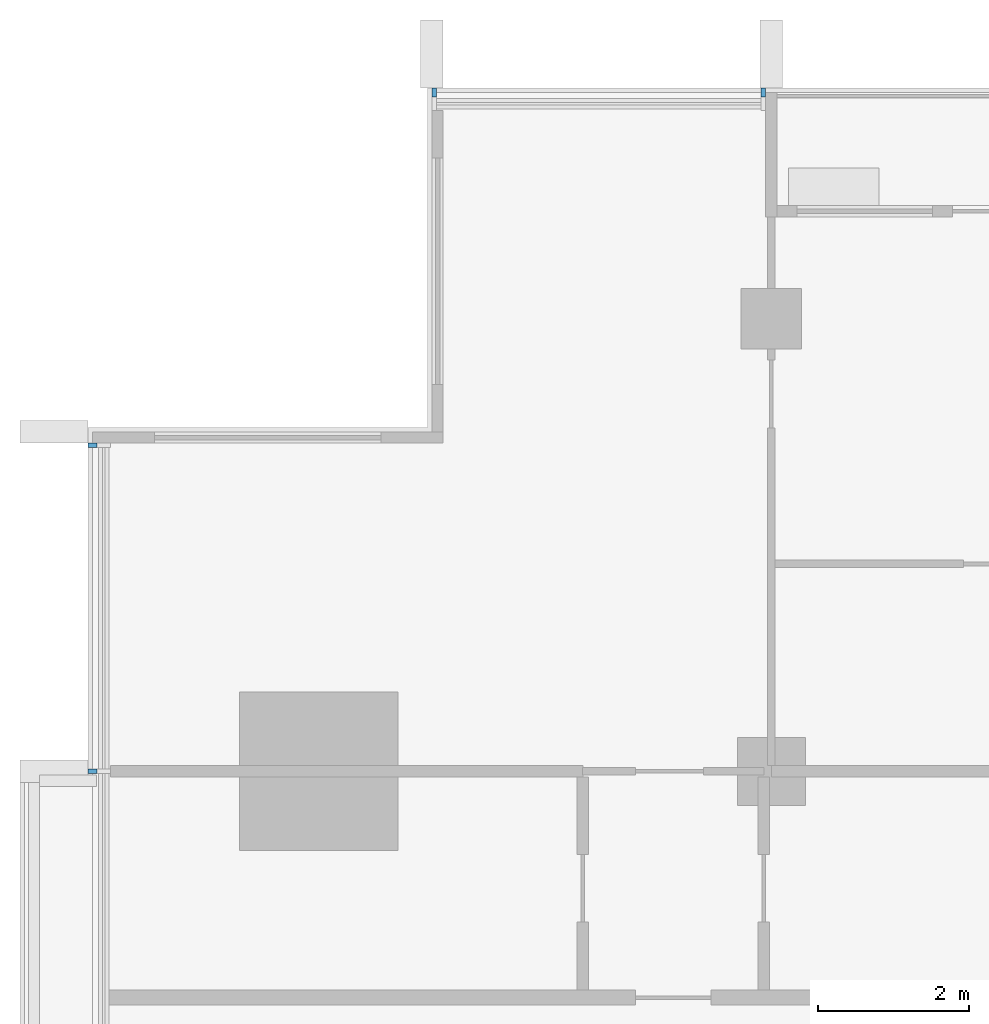
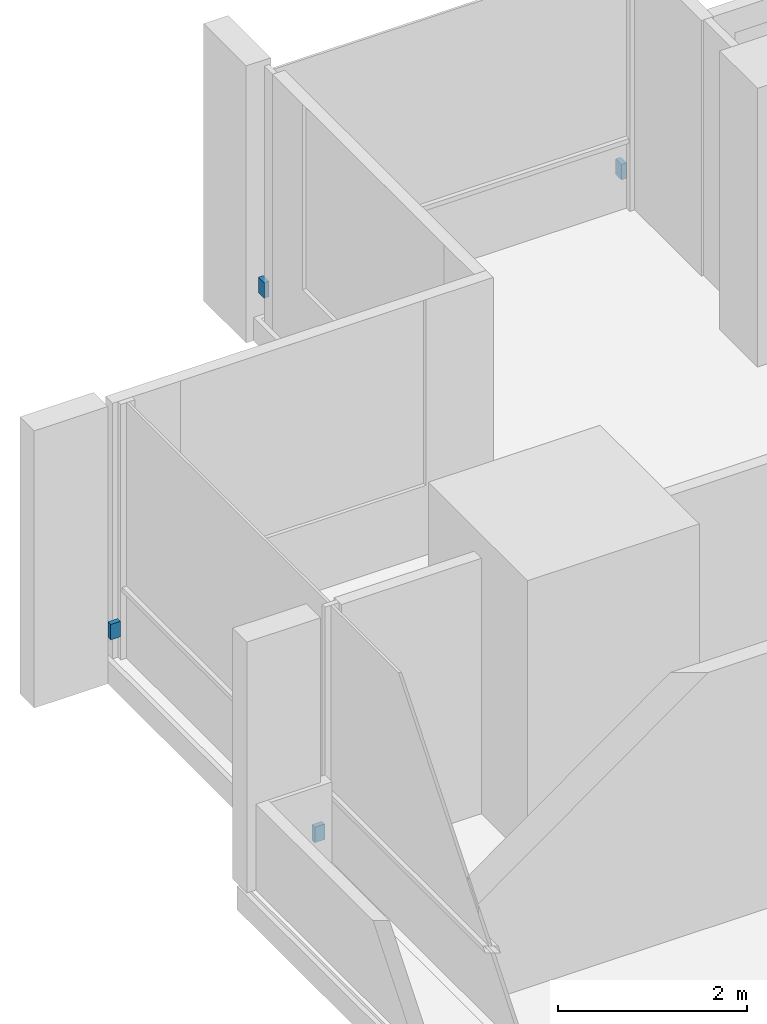
# One storey, part 14 of 16: 4 discrete accessories.
"""IFC4 building model written with IfcOpenShell, lengths in metres."""

from ifc_helpers import new_model, si_unit, direction, frame, origin, origin_2d, place, context, subcontext, project, spatial, rectangle, extrude, material, type_object, element, save


model = new_model("IFC4")

# Units and contexts
model_context = context("Model", 3, precision=1e-05, world=origin(), true_north=direction((0.0, 1.0)))
body_context = subcontext(model_context, "Body", "Model", "MODEL_VIEW")
ifc_project = project(units=[si_unit("LENGTHUNIT", "METRE"), si_unit("AREAUNIT", "SQUARE_METRE"), si_unit("VOLUMEUNIT", "CUBIC_METRE"), si_unit("PLANEANGLEUNIT", "RADIAN"), si_unit("MASSUNIT", "GRAM", prefix="KILO")], contexts=[model_context])

# Site, building, storey
site_placement = place(None, origin())
site = spatial("IfcSite", under=ifc_project, at=site_placement, CompositionType="ELEMENT")
building_placement = place(site_placement, origin())
building = spatial("IfcBuilding", under=site, at=building_placement, Name="Finial Court Residences", CompositionType="ELEMENT")
storey_placement = place(building_placement, frame((0.0, 0.0, 237.5)))
storey = spatial("IfcBuildingStorey", under=building, at=storey_placement, Name="L60", CompositionType="ELEMENT", Elevation=237.5)

# Discrete accessories
ifc_material = material(Name="Stainless steel 316", Category="steel")
discrete_accessory_type = type_object("IfcDiscreteAccessoryType", Name="Fin bracket, stainless steel 60 x 122 x 200", PredefinedType="BRACKET", material=ifc_material)
for number, where, z_axis, x_axis, name in (
    (1, (-14.969970703125, 16.498779296875, 0.2998046875), (0.0, 0.0, 1.0), (1.0, 0.0, 0.0), "E-L60-FIN-N1-BRK"),
    (2, (-10.60498046875, 16.498779296875, 0.2998046875), (0.0, 0.0, 1.0), (1.0, 0.0, 0.0), "E-L60-FIN-N2-BRK"),
):
    element("IfcDiscreteAccessory", number, at=place(storey_placement, frame(where, z_axis=z_axis, x_axis=x_axis)), inside=storey, type_object=discrete_accessory_type, Name=name, PredefinedType="BRACKET", context=body_context, shape_type="SweptSolid", body=[
        extrude(rectangle(XDim=0.06005859375, YDim=0.12255859375, at=origin_2d()), origin(), (0.0, 0.0, 1.0), 0.199951171875),
    ])
for number, where, z_axis, x_axis, name in (
    (3, (-19.498779296875, 7.5, 0.2998046875), (0.0, 0.0, 1.0), (1.0, 0.0, 0.0), "E-L60-FIN-W25-BRK"),
    (4, (-19.498779296875, 11.820068359375, 0.2998046875), (0.0, 0.0, 1.0), (1.0, 0.0, 0.0), "E-L60-FIN-W26-BRK"),
):
    element("IfcDiscreteAccessory", number, at=place(storey_placement, frame(where, z_axis=z_axis, x_axis=x_axis)), inside=storey, type_object=discrete_accessory_type, Name=name, PredefinedType="BRACKET", context=body_context, shape_type="SweptSolid", body=[
        extrude(rectangle(XDim=0.12255859375, YDim=0.06005859375, at=origin_2d()), origin(), (0.0, 0.0, 1.0), 0.199951171875),
    ])

save(model, "model.ifc")
